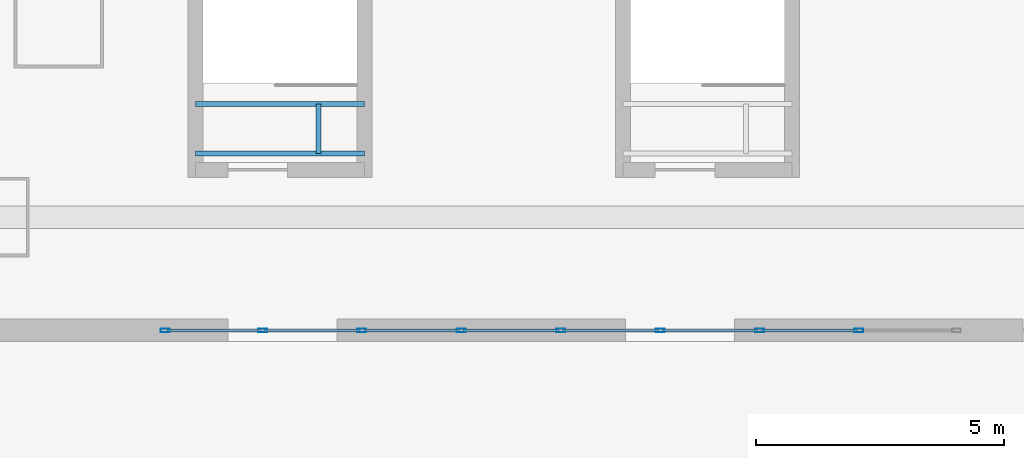
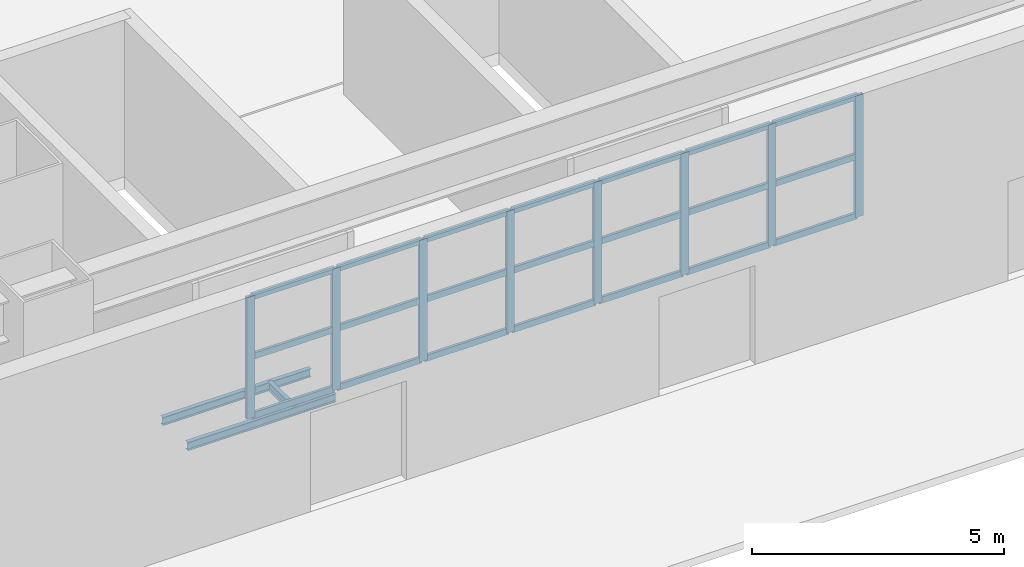
# One storey, part 4 of 31: 29 members, 3 beams, 1 element without a shape of its own.
"""IFC4 building model written with IfcOpenShell, lengths in metres."""

from ifc_helpers import new_model, si_unit, direction, frame, origin, origin_2d, place, context, subcontext, project, spatial, hollow_rectangle, i_section, extrude, material, layer, layer_set, material_profile, profile_set, type_object, element, aggregate, save


model = new_model("IFC4")

# Units and contexts
model_context = context("Model", 3, precision=1e-05, world=origin(), true_north=direction((0.0, 1.0)))
body_context = subcontext(model_context, "Body", "Model", "MODEL_VIEW")
ifc_project = project(units=[si_unit("LENGTHUNIT", "METRE"), si_unit("AREAUNIT", "SQUARE_METRE"), si_unit("VOLUMEUNIT", "CUBIC_METRE"), si_unit("PLANEANGLEUNIT", "RADIAN"), si_unit("MASSUNIT", "GRAM", prefix="KILO")], contexts=[model_context])

# Site, building, storey
site_placement = place(None, origin())
site = spatial("IfcSite", under=ifc_project, at=site_placement, CompositionType="ELEMENT")
building_placement = place(site_placement, origin())
building = spatial("IfcBuilding", under=site, at=building_placement, Name="Qiaolan Cultural Towers", CompositionType="ELEMENT")
storey_placement = place(building_placement, origin())
storey = spatial("IfcBuildingStorey", under=building, at=storey_placement, Name="L00", CompositionType="ELEMENT", Elevation=0.0)

# Beams
ifc_material_1 = material(Name="Steel Q355B", Category="steel")
ifc_material_profile_1 = material_profile(ifc_material_1, i_section(OverallWidth=0.10009765625, OverallDepth=0.199951171875, WebThickness=0.005615234375, FlangeThickness=0.008056640625, at=origin_2d()), Name="HN200x100x5.5x8")
ifc_profile_set_1 = profile_set([ifc_material_profile_1], Name="Steel Q355B")
beam_type = type_object("IfcBeamType", Name="BM-STTRIM-200", PredefinedType="BEAM", material=ifc_profile_set_1)
for number, where, z_axis, x_axis, name in (
    (1, (53.550048828125, 3.780029296875, -0.4599609375), (-1.0, 0.0, 0.0), (0.0, -1.0, 0.0), "L00 ST-M1 Floor Landing Beam 1"),
    (2, (53.550048828125, 4.780029296875, -0.4599609375), (-1.0, 0.0, 0.0), (0.0, -1.0, 0.0), "L00 ST-M1 Floor Landing Beam 2"),
):
    element("IfcBeam", number, at=place(storey_placement, frame(where, z_axis=z_axis, x_axis=x_axis)), inside=storey, type_object=beam_type, Name=name, PredefinedType="BEAM", context=body_context, shape_type="SweptSolid", body=[
        extrude(i_section(OverallWidth=0.10009765625, OverallDepth=0.199951171875, WebThickness=0.005615234375, FlangeThickness=0.008056640625, at=origin_2d()), origin(), (0.0, 0.0, 1.0), 3.400146484375),
    ])
beam_placement = place(storey_placement, frame((52.625, 3.780029296875, -0.4599609375), z_axis=(0.0, 1.0, 0.0), x_axis=(-1.0, 0.0, 0.0)))
element("IfcBeam", 3, at=beam_placement, inside=storey, type_object=beam_type, Name="L00 ST-M1 Floor Landing Trimmer", PredefinedType="BEAM", context=body_context, shape_type="SweptSolid", body=[
    extrude(i_section(OverallWidth=0.10009765625, OverallDepth=0.199951171875, WebThickness=0.005615234375, FlangeThickness=0.008056640625, at=origin_2d()), origin(), (0.0, 0.0, 1.0), 1.0),
])

# Curtain wall, members
ifc_material_2 = material(Name="Unitized Anodized Aluminium Curtain Wall System", Category="aluminium")
ifc_layer = layer(ifc_material_2, 0.199951171875)
ifc_layer_set = layer_set([ifc_layer], Name="Unitized Anodized Aluminium Curtain Wall System")
curtain_wall_type = type_object("IfcCurtainWallType", Name="CWS-01", PredefinedType="NOTDEFINED", material=ifc_layer_set)
curtain_wall_placement = place(storey_placement, origin())
curtain_wall = element("IfcCurtainWall", 4, at=curtain_wall_placement, inside=storey, type_object=curtain_wall_type, Name="L00 South Station Concourse Clerestory Curtain Wall", PredefinedType="NOTDEFINED")
ifc_material_3 = material(Name="Extruded Aluminium 6063-T6", Category="aluminium")
ifc_material_profile_2 = material_profile(ifc_material_3, hollow_rectangle(XDim=0.074951171875, YDim=0.179931640625, WallThickness=0.00390625, at=origin_2d()), Name="CWM-180x75x4")
ifc_profile_set_2 = profile_set([ifc_material_profile_2], Name="Extruded Aluminium 6063-T6")
member_type_1 = type_object("IfcMemberType", Name="CWS-01-MUL", PredefinedType="MULLION", material=ifc_profile_set_2)
member_1_placement = place(storey_placement, frame((49.53759765625, 0.219970703125, 2.60009765625), z_axis=(0.0, 0.0, 1.0), x_axis=(0.0, 1.0, 0.0)))
member_1 = element("IfcMember", 5, at=member_1_placement, type_object=member_type_1, Name="CW-1 mullion 1", PredefinedType="MULLION", context=body_context, shape_type="SweptSolid", body=[
    extrude(hollow_rectangle(XDim=0.074951171875, YDim=0.179931640625, WallThickness=0.00390625, at=origin_2d()), origin(), (0.0, 0.0, 1.0), 2.949951171875),
])
member_2_placement = place(storey_placement, frame((51.5, 0.219970703125, 2.60009765625), z_axis=(0.0, 0.0, 1.0), x_axis=(0.0, 1.0, 0.0)))
member_2 = element("IfcMember", 6, at=member_2_placement, type_object=member_type_1, Name="CW-1 mullion 2", PredefinedType="MULLION", context=body_context, shape_type="SweptSolid", body=[
    extrude(hollow_rectangle(XDim=0.074951171875, YDim=0.179931640625, WallThickness=0.00390625, at=origin_2d()), origin(), (0.0, 0.0, 1.0), 2.949951171875),
])
member_3_placement = place(storey_placement, frame((53.5, 0.219970703125, 2.60009765625), z_axis=(0.0, 0.0, 1.0), x_axis=(0.0, 1.0, 0.0)))
member_3 = element("IfcMember", 7, at=member_3_placement, type_object=member_type_1, Name="CW-1 mullion 3", PredefinedType="MULLION", context=body_context, shape_type="SweptSolid", body=[
    extrude(hollow_rectangle(XDim=0.074951171875, YDim=0.179931640625, WallThickness=0.00390625, at=origin_2d()), origin(), (0.0, 0.0, 1.0), 2.949951171875),
])
member_4_placement = place(storey_placement, frame((55.5, 0.219970703125, 2.60009765625), z_axis=(0.0, 0.0, 1.0), x_axis=(0.0, 1.0, 0.0)))
member_4 = element("IfcMember", 8, at=member_4_placement, type_object=member_type_1, Name="CW-1 mullion 4", PredefinedType="MULLION", context=body_context, shape_type="SweptSolid", body=[
    extrude(hollow_rectangle(XDim=0.074951171875, YDim=0.179931640625, WallThickness=0.00390625, at=origin_2d()), origin(), (0.0, 0.0, 1.0), 2.949951171875),
])
member_5_placement = place(storey_placement, frame((57.5, 0.219970703125, 2.60009765625), z_axis=(0.0, 0.0, 1.0), x_axis=(0.0, 1.0, 0.0)))
member_5 = element("IfcMember", 9, at=member_5_placement, type_object=member_type_1, Name="CW-1 mullion 5", PredefinedType="MULLION", context=body_context, shape_type="SweptSolid", body=[
    extrude(hollow_rectangle(XDim=0.074951171875, YDim=0.179931640625, WallThickness=0.00390625, at=origin_2d()), origin(), (0.0, 0.0, 1.0), 2.949951171875),
])
member_6_placement = place(storey_placement, frame((59.5, 0.219970703125, 2.60009765625), z_axis=(0.0, 0.0, 1.0), x_axis=(0.0, 1.0, 0.0)))
member_6 = element("IfcMember", 10, at=member_6_placement, type_object=member_type_1, Name="CW-1 mullion 6", PredefinedType="MULLION", context=body_context, shape_type="SweptSolid", body=[
    extrude(hollow_rectangle(XDim=0.074951171875, YDim=0.179931640625, WallThickness=0.00390625, at=origin_2d()), origin(), (0.0, 0.0, 1.0), 2.949951171875),
])
member_7_placement = place(storey_placement, frame((61.5, 0.219970703125, 2.60009765625), z_axis=(0.0, 0.0, 1.0), x_axis=(0.0, 1.0, 0.0)))
member_7 = element("IfcMember", 11, at=member_7_placement, type_object=member_type_1, Name="CW-1 mullion 7", PredefinedType="MULLION", context=body_context, shape_type="SweptSolid", body=[
    extrude(hollow_rectangle(XDim=0.074951171875, YDim=0.179931640625, WallThickness=0.00390625, at=origin_2d()), origin(), (0.0, 0.0, 1.0), 2.949951171875),
])
member_8_placement = place(storey_placement, frame((63.5, 0.219970703125, 2.60009765625), z_axis=(0.0, 0.0, 1.0), x_axis=(0.0, 1.0, 0.0)))
member_8 = element("IfcMember", 12, at=member_8_placement, type_object=member_type_1, Name="CW-1 mullion 8", PredefinedType="MULLION", context=body_context, shape_type="SweptSolid", body=[
    extrude(hollow_rectangle(XDim=0.074951171875, YDim=0.179931640625, WallThickness=0.00390625, at=origin_2d()), origin(), (0.0, 0.0, 1.0), 2.949951171875),
])
ifc_material_4 = material(Name="Extruded Aluminium 6063-T6", Category="aluminium")
ifc_material_profile_3 = material_profile(ifc_material_4, hollow_rectangle(XDim=0.06494140625, YDim=0.14990234375, WallThickness=0.00390625, at=origin_2d()), Name="CWT-150x65x4")
ifc_profile_set_3 = profile_set([ifc_material_profile_3], Name="Extruded Aluminium 6063-T6")
member_type_2 = type_object("IfcMemberType", Name="CWS-01-TRN", PredefinedType="USERDEFINED", material=ifc_profile_set_3)
member_9_placement = place(storey_placement, frame((49.574951171875, 0.219970703125, 2.632568359375), z_axis=(1.0, 0.0, 0.0), x_axis=(0.0, 1.0, 0.0)))
member_9 = element("IfcMember", 13, at=member_9_placement, type_object=member_type_2, Name="CW-1 transom 1.1", ObjectType="TRANSOM", PredefinedType="USERDEFINED", context=body_context, shape_type="SweptSolid", body=[
    extrude(hollow_rectangle(XDim=0.06494140625, YDim=0.14990234375, WallThickness=0.00390625, at=origin_2d()), origin(), (0.0, 0.0, 1.0), 1.887451171875),
])
member_10_placement = place(storey_placement, frame((49.574951171875, 0.219970703125, 4.070068359375), z_axis=(1.0, 0.0, 0.0), x_axis=(0.0, 1.0, 0.0)))
member_10 = element("IfcMember", 14, at=member_10_placement, type_object=member_type_2, Name="CW-1 transom 1.2", ObjectType="TRANSOM", PredefinedType="USERDEFINED", context=body_context, shape_type="SweptSolid", body=[
    extrude(hollow_rectangle(XDim=0.06494140625, YDim=0.14990234375, WallThickness=0.00390625, at=origin_2d()), origin(), (0.0, 0.0, 1.0), 1.887451171875),
])
member_11_placement = place(storey_placement, frame((49.574951171875, 0.219970703125, 5.517578125), z_axis=(1.0, 0.0, 0.0), x_axis=(0.0, 1.0, 0.0)))
member_11 = element("IfcMember", 15, at=member_11_placement, type_object=member_type_2, Name="CW-1 transom 1.3", ObjectType="TRANSOM", PredefinedType="USERDEFINED", context=body_context, shape_type="SweptSolid", body=[
    extrude(hollow_rectangle(XDim=0.06494140625, YDim=0.14990234375, WallThickness=0.00390625, at=origin_2d()), origin(), (0.0, 0.0, 1.0), 1.887451171875),
])
member_12_placement = place(storey_placement, frame((51.53759765625, 0.219970703125, 2.632568359375), z_axis=(1.0, 0.0, 0.0), x_axis=(0.0, 1.0, 0.0)))
member_12 = element("IfcMember", 16, at=member_12_placement, type_object=member_type_2, Name="CW-1 transom 2.1", ObjectType="TRANSOM", PredefinedType="USERDEFINED", context=body_context, shape_type="SweptSolid", body=[
    extrude(hollow_rectangle(XDim=0.06494140625, YDim=0.14990234375, WallThickness=0.00390625, at=origin_2d()), origin(), (0.0, 0.0, 1.0), 1.9248046875),
])
member_13_placement = place(storey_placement, frame((51.53759765625, 0.219970703125, 4.070068359375), z_axis=(1.0, 0.0, 0.0), x_axis=(0.0, 1.0, 0.0)))
member_13 = element("IfcMember", 17, at=member_13_placement, type_object=member_type_2, Name="CW-1 transom 2.2", ObjectType="TRANSOM", PredefinedType="USERDEFINED", context=body_context, shape_type="SweptSolid", body=[
    extrude(hollow_rectangle(XDim=0.06494140625, YDim=0.14990234375, WallThickness=0.00390625, at=origin_2d()), origin(), (0.0, 0.0, 1.0), 1.9248046875),
])
member_14_placement = place(storey_placement, frame((51.53759765625, 0.219970703125, 5.517578125), z_axis=(1.0, 0.0, 0.0), x_axis=(0.0, 1.0, 0.0)))
member_14 = element("IfcMember", 18, at=member_14_placement, type_object=member_type_2, Name="CW-1 transom 2.3", ObjectType="TRANSOM", PredefinedType="USERDEFINED", context=body_context, shape_type="SweptSolid", body=[
    extrude(hollow_rectangle(XDim=0.06494140625, YDim=0.14990234375, WallThickness=0.00390625, at=origin_2d()), origin(), (0.0, 0.0, 1.0), 1.9248046875),
])
member_15_placement = place(storey_placement, frame((53.53759765625, 0.219970703125, 2.632568359375), z_axis=(1.0, 0.0, 0.0), x_axis=(0.0, 1.0, 0.0)))
member_15 = element("IfcMember", 19, at=member_15_placement, type_object=member_type_2, Name="CW-1 transom 3.1", ObjectType="TRANSOM", PredefinedType="USERDEFINED", context=body_context, shape_type="SweptSolid", body=[
    extrude(hollow_rectangle(XDim=0.06494140625, YDim=0.14990234375, WallThickness=0.00390625, at=origin_2d()), origin(), (0.0, 0.0, 1.0), 1.9248046875),
])
member_16_placement = place(storey_placement, frame((53.53759765625, 0.219970703125, 4.070068359375), z_axis=(1.0, 0.0, 0.0), x_axis=(0.0, 1.0, 0.0)))
member_16 = element("IfcMember", 20, at=member_16_placement, type_object=member_type_2, Name="CW-1 transom 3.2", ObjectType="TRANSOM", PredefinedType="USERDEFINED", context=body_context, shape_type="SweptSolid", body=[
    extrude(hollow_rectangle(XDim=0.06494140625, YDim=0.14990234375, WallThickness=0.00390625, at=origin_2d()), origin(), (0.0, 0.0, 1.0), 1.9248046875),
])
member_17_placement = place(storey_placement, frame((53.53759765625, 0.219970703125, 5.517578125), z_axis=(1.0, 0.0, 0.0), x_axis=(0.0, 1.0, 0.0)))
member_17 = element("IfcMember", 21, at=member_17_placement, type_object=member_type_2, Name="CW-1 transom 3.3", ObjectType="TRANSOM", PredefinedType="USERDEFINED", context=body_context, shape_type="SweptSolid", body=[
    extrude(hollow_rectangle(XDim=0.06494140625, YDim=0.14990234375, WallThickness=0.00390625, at=origin_2d()), origin(), (0.0, 0.0, 1.0), 1.9248046875),
])
member_18_placement = place(storey_placement, frame((55.53759765625, 0.219970703125, 2.632568359375), z_axis=(1.0, 0.0, 0.0), x_axis=(0.0, 1.0, 0.0)))
member_18 = element("IfcMember", 22, at=member_18_placement, type_object=member_type_2, Name="CW-1 transom 4.1", ObjectType="TRANSOM", PredefinedType="USERDEFINED", context=body_context, shape_type="SweptSolid", body=[
    extrude(hollow_rectangle(XDim=0.06494140625, YDim=0.14990234375, WallThickness=0.00390625, at=origin_2d()), origin(), (0.0, 0.0, 1.0), 1.9248046875),
])
member_19_placement = place(storey_placement, frame((55.53759765625, 0.219970703125, 4.070068359375), z_axis=(1.0, 0.0, 0.0), x_axis=(0.0, 1.0, 0.0)))
member_19 = element("IfcMember", 23, at=member_19_placement, type_object=member_type_2, Name="CW-1 transom 4.2", ObjectType="TRANSOM", PredefinedType="USERDEFINED", context=body_context, shape_type="SweptSolid", body=[
    extrude(hollow_rectangle(XDim=0.06494140625, YDim=0.14990234375, WallThickness=0.00390625, at=origin_2d()), origin(), (0.0, 0.0, 1.0), 1.9248046875),
])
member_20_placement = place(storey_placement, frame((55.53759765625, 0.219970703125, 5.517578125), z_axis=(1.0, 0.0, 0.0), x_axis=(0.0, 1.0, 0.0)))
member_20 = element("IfcMember", 24, at=member_20_placement, type_object=member_type_2, Name="CW-1 transom 4.3", ObjectType="TRANSOM", PredefinedType="USERDEFINED", context=body_context, shape_type="SweptSolid", body=[
    extrude(hollow_rectangle(XDim=0.06494140625, YDim=0.14990234375, WallThickness=0.00390625, at=origin_2d()), origin(), (0.0, 0.0, 1.0), 1.9248046875),
])
member_21_placement = place(storey_placement, frame((57.53759765625, 0.219970703125, 2.632568359375), z_axis=(1.0, 0.0, 0.0), x_axis=(0.0, 1.0, 0.0)))
member_21 = element("IfcMember", 25, at=member_21_placement, type_object=member_type_2, Name="CW-1 transom 5.1", ObjectType="TRANSOM", PredefinedType="USERDEFINED", context=body_context, shape_type="SweptSolid", body=[
    extrude(hollow_rectangle(XDim=0.06494140625, YDim=0.14990234375, WallThickness=0.00390625, at=origin_2d()), origin(), (0.0, 0.0, 1.0), 1.9248046875),
])
member_22_placement = place(storey_placement, frame((57.53759765625, 0.219970703125, 4.070068359375), z_axis=(1.0, 0.0, 0.0), x_axis=(0.0, 1.0, 0.0)))
member_22 = element("IfcMember", 26, at=member_22_placement, type_object=member_type_2, Name="CW-1 transom 5.2", ObjectType="TRANSOM", PredefinedType="USERDEFINED", context=body_context, shape_type="SweptSolid", body=[
    extrude(hollow_rectangle(XDim=0.06494140625, YDim=0.14990234375, WallThickness=0.00390625, at=origin_2d()), origin(), (0.0, 0.0, 1.0), 1.9248046875),
])
member_23_placement = place(storey_placement, frame((57.53759765625, 0.219970703125, 5.517578125), z_axis=(1.0, 0.0, 0.0), x_axis=(0.0, 1.0, 0.0)))
member_23 = element("IfcMember", 27, at=member_23_placement, type_object=member_type_2, Name="CW-1 transom 5.3", ObjectType="TRANSOM", PredefinedType="USERDEFINED", context=body_context, shape_type="SweptSolid", body=[
    extrude(hollow_rectangle(XDim=0.06494140625, YDim=0.14990234375, WallThickness=0.00390625, at=origin_2d()), origin(), (0.0, 0.0, 1.0), 1.9248046875),
])
member_24_placement = place(storey_placement, frame((59.53759765625, 0.219970703125, 2.632568359375), z_axis=(1.0, 0.0, 0.0), x_axis=(0.0, 1.0, 0.0)))
member_24 = element("IfcMember", 28, at=member_24_placement, type_object=member_type_2, Name="CW-1 transom 6.1", ObjectType="TRANSOM", PredefinedType="USERDEFINED", context=body_context, shape_type="SweptSolid", body=[
    extrude(hollow_rectangle(XDim=0.06494140625, YDim=0.14990234375, WallThickness=0.00390625, at=origin_2d()), origin(), (0.0, 0.0, 1.0), 1.9248046875),
])
member_25_placement = place(storey_placement, frame((59.53759765625, 0.219970703125, 4.070068359375), z_axis=(1.0, 0.0, 0.0), x_axis=(0.0, 1.0, 0.0)))
member_25 = element("IfcMember", 29, at=member_25_placement, type_object=member_type_2, Name="CW-1 transom 6.2", ObjectType="TRANSOM", PredefinedType="USERDEFINED", context=body_context, shape_type="SweptSolid", body=[
    extrude(hollow_rectangle(XDim=0.06494140625, YDim=0.14990234375, WallThickness=0.00390625, at=origin_2d()), origin(), (0.0, 0.0, 1.0), 1.9248046875),
])
member_26_placement = place(storey_placement, frame((59.53759765625, 0.219970703125, 5.517578125), z_axis=(1.0, 0.0, 0.0), x_axis=(0.0, 1.0, 0.0)))
member_26 = element("IfcMember", 30, at=member_26_placement, type_object=member_type_2, Name="CW-1 transom 6.3", ObjectType="TRANSOM", PredefinedType="USERDEFINED", context=body_context, shape_type="SweptSolid", body=[
    extrude(hollow_rectangle(XDim=0.06494140625, YDim=0.14990234375, WallThickness=0.00390625, at=origin_2d()), origin(), (0.0, 0.0, 1.0), 1.9248046875),
])
member_27_placement = place(storey_placement, frame((61.53759765625, 0.219970703125, 2.632568359375), z_axis=(1.0, 0.0, 0.0), x_axis=(0.0, 1.0, 0.0)))
member_27 = element("IfcMember", 31, at=member_27_placement, type_object=member_type_2, Name="CW-1 transom 7.1", ObjectType="TRANSOM", PredefinedType="USERDEFINED", context=body_context, shape_type="SweptSolid", body=[
    extrude(hollow_rectangle(XDim=0.06494140625, YDim=0.14990234375, WallThickness=0.00390625, at=origin_2d()), origin(), (0.0, 0.0, 1.0), 1.9248046875),
])
member_28_placement = place(storey_placement, frame((61.53759765625, 0.219970703125, 4.070068359375), z_axis=(1.0, 0.0, 0.0), x_axis=(0.0, 1.0, 0.0)))
member_28 = element("IfcMember", 32, at=member_28_placement, type_object=member_type_2, Name="CW-1 transom 7.2", ObjectType="TRANSOM", PredefinedType="USERDEFINED", context=body_context, shape_type="SweptSolid", body=[
    extrude(hollow_rectangle(XDim=0.06494140625, YDim=0.14990234375, WallThickness=0.00390625, at=origin_2d()), origin(), (0.0, 0.0, 1.0), 1.9248046875),
])
member_29_placement = place(storey_placement, frame((61.53759765625, 0.219970703125, 5.517578125), z_axis=(1.0, 0.0, 0.0), x_axis=(0.0, 1.0, 0.0)))
member_29 = element("IfcMember", 33, at=member_29_placement, type_object=member_type_2, Name="CW-1 transom 7.3", ObjectType="TRANSOM", PredefinedType="USERDEFINED", context=body_context, shape_type="SweptSolid", body=[
    extrude(hollow_rectangle(XDim=0.06494140625, YDim=0.14990234375, WallThickness=0.00390625, at=origin_2d()), origin(), (0.0, 0.0, 1.0), 1.9248046875),
])
aggregate(curtain_wall, [member_1, member_2, member_3, member_4, member_5, member_6, member_7, member_8, member_9, member_10, member_11, member_12, member_13, member_14, member_15, member_16, member_17, member_18, member_19, member_20, member_21, member_22, member_23, member_24, member_25, member_26, member_27, member_28, member_29])

save(model, "model.ifc")
